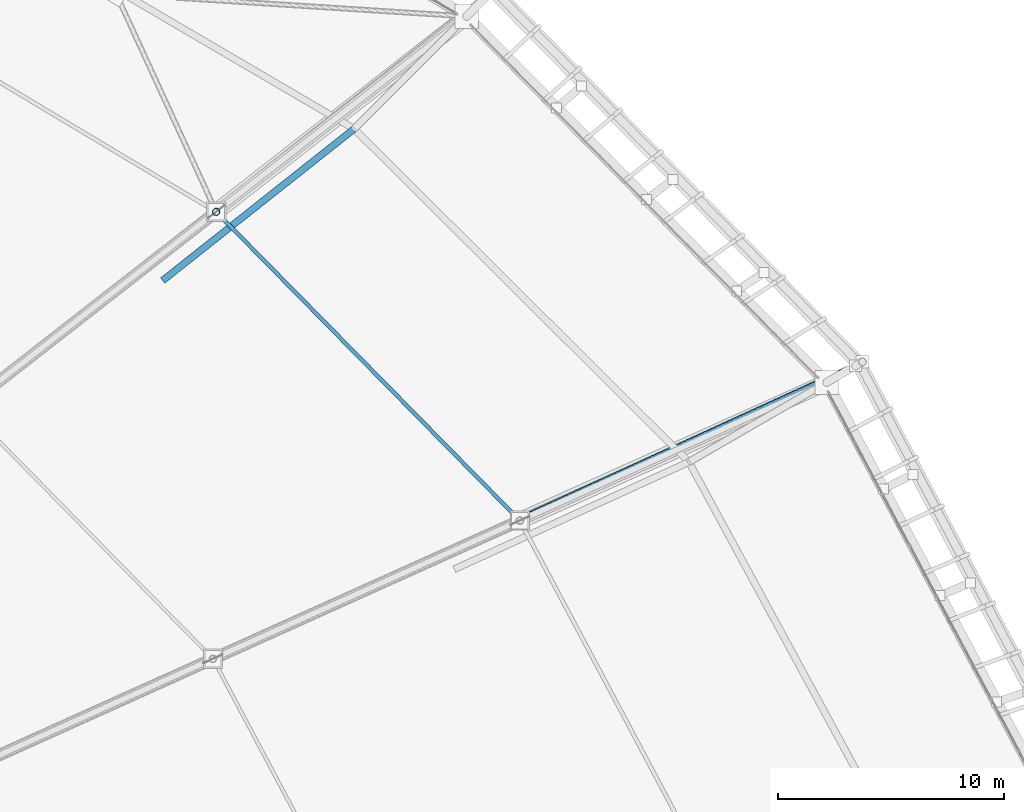
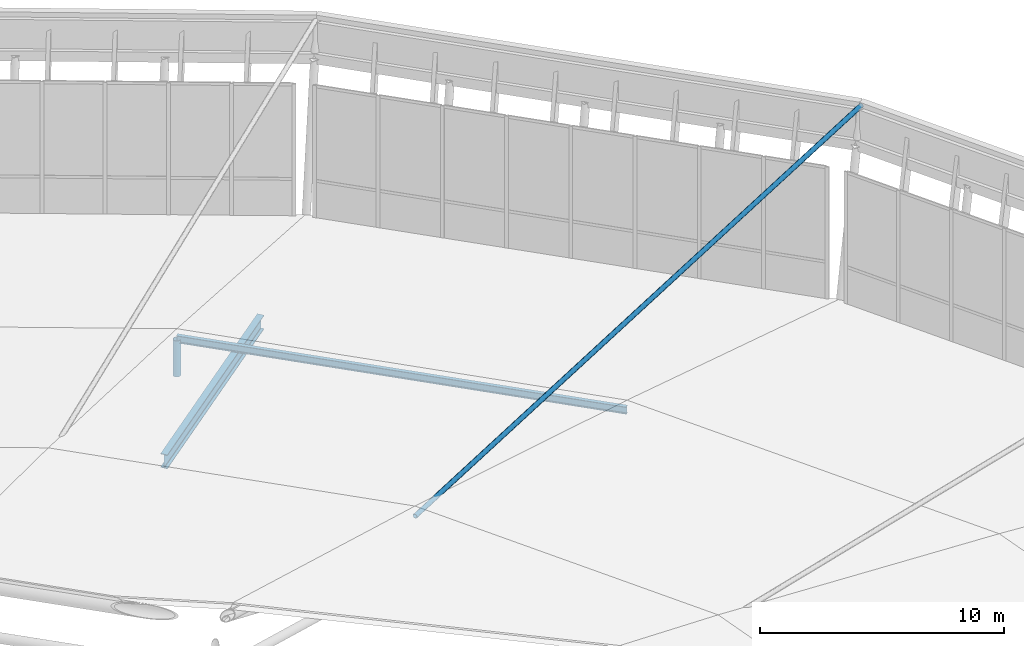
# One storey, part 56 of 115: 3 members, 1 beam.
"""IFC4 building model written with IfcOpenShell, lengths in metres."""

from ifc_helpers import new_model, si_unit, direction, frame, origin, origin_2d, place, context, subcontext, project, spatial, hollow_circle, i_section, extrude, material, material_profile, profile_set, type_object, element, save


model = new_model("IFC4")

# Units and contexts
model_context = context("Model", 3, precision=1e-05, world=origin(), true_north=direction((0.0, 1.0)))
body_context = subcontext(model_context, "Body", "Model", "MODEL_VIEW")
ifc_project = project(units=[si_unit("LENGTHUNIT", "METRE"), si_unit("AREAUNIT", "SQUARE_METRE"), si_unit("VOLUMEUNIT", "CUBIC_METRE"), si_unit("PLANEANGLEUNIT", "RADIAN"), si_unit("MASSUNIT", "GRAM", prefix="KILO")], contexts=[model_context])

# Site, building, storey
site_placement = place(None, origin())
site = spatial("IfcSite", under=ifc_project, at=site_placement, CompositionType="ELEMENT")
building_placement = place(site_placement, origin())
building = spatial("IfcBuilding", under=site, at=building_placement, Name="Zlatoyarsky Gate Stadium", CompositionType="ELEMENT")
storey_placement = place(building_placement, frame((0.0, 0.0, 31.800048828125)))
storey = spatial("IfcBuildingStorey", under=building, at=storey_placement, Name="RF", CompositionType="ELEMENT", Elevation=31.800048828125)

# Members
ifc_material = material(Name="Steel S355", Category="steel")
ifc_material_profile_1 = material_profile(ifc_material, hollow_circle(Radius=0.109619140625, WallThickness=0.012451171875, at=origin_2d()), Name="CHS 219.1X12.5")
ifc_profile_set_1 = profile_set([ifc_material_profile_1], Name="Steel S355")
member_type_1 = type_object("IfcMemberType", Name="STEEL CANOPY WIND BRACE CHS 219.1X12.5", PredefinedType="BRACE", material=ifc_profile_set_1)
member_1_placement = place(storey_placement, frame((199.19970703125, 119.922119140625, 8.849853515625), z_axis=(-0.906447764007, -0.414552111978, -0.080616360509), x_axis=(0.415905800363, -0.909407700223, 0.0)))
element("IfcMember", 1, at=member_1_placement, inside=storey, type_object=member_type_1, Name="Crown fascia tie brace 02", PredefinedType="BRACE", context=body_context, shape_type="SweptSolid", body=[
    extrude(hollow_circle(Radius=0.109619140625, WallThickness=0.012451171875, at=origin_2d()), origin(), (0.0, 0.0, 1.0), 31.62890625),
])
ifc_material_profile_2 = material_profile(ifc_material, i_section(OverallWidth=0.169921875, OverallDepth=0.360107421875, WebThickness=0.008056640625, FlangeThickness=0.0126953125, FilletRadius=0.01806640625, at=origin_2d()), Name="IPE 360")
ifc_profile_set_2 = profile_set([ifc_material_profile_2], Name="Steel S355")
member_type_2 = type_object("IfcMemberType", Name="STEEL LONG SPAN PURLIN IPE 360", PredefinedType="PURLIN", material=ifc_profile_set_2)
member_2_placement = place(storey_placement, frame((184.078125, 112.912109375, 3.179931640625), z_axis=(-0.701267484698, 0.712898250037, 0.0), x_axis=(-0.712898250037, -0.701267484698, 0.0)))
element("IfcMember", 2, at=member_2_placement, inside=storey, type_object=member_type_2, Name="Stadium roof purlin 02.1", PredefinedType="PURLIN", context=body_context, shape_type="SweptSolid", body=[
    extrude(i_section(OverallWidth=0.169921875, OverallDepth=0.360107421875, WebThickness=0.008056640625, FlangeThickness=0.0126953125, FilletRadius=0.01806640625, at=origin_2d()), origin(), (0.0, 0.0, 1.0), 19.122802734375),
])

# Beam
ifc_material_profile_3 = material_profile(ifc_material, i_section(OverallWidth=0.300048828125, OverallDepth=0.699951171875, WebThickness=0.01708984375, FlangeThickness=0.031982421875, FilletRadius=0.027099609375, at=origin_2d()), Name="HEB 700")
ifc_profile_set_3 = profile_set([ifc_material_profile_3], Name="Steel S355")
beam_type = type_object("IfcBeamType", Name="STEEL ROOF RING GIRDER HEB 700", PredefinedType="BEAM", material=ifc_profile_set_3)
beam_placement = place(storey_placement, frame((168.306884765625, 123.511962890625, -0.300048828125), z_axis=(0.784053658736, 0.620693048312, 0.0), x_axis=(-0.620693048312, 0.784053658736, 0.0)))
element("IfcBeam", 3, at=beam_placement, inside=storey, type_object=beam_type, Name="RF roof tie girder BM-RF-RBC-03", PredefinedType="BEAM", context=body_context, shape_type="SweptSolid", body=[
    extrude(i_section(OverallWidth=0.300048828125, OverallDepth=0.699951171875, WebThickness=0.01708984375, FlangeThickness=0.031982421875, FilletRadius=0.027099609375, at=origin_2d()), origin(), (0.0, 0.0, 1.0), 10.742431640625),
])

# Member
ifc_material_profile_4 = material_profile(ifc_material, hollow_circle(Radius=0.161865234375, WallThickness=0.01611328125, at=origin_2d()), Name="CHS 323.9X16")
ifc_profile_set_4 = profile_set([ifc_material_profile_4], Name="Steel S355")
member_type_3 = type_object("IfcMemberType", Name="STEEL TRUSS WEB STRUT CHS 323.9X16", PredefinedType="STRUT", material=ifc_profile_set_4)
member_3_placement = place(storey_placement, frame((170.66796875, 126.544677734375, 1.349853515625), z_axis=(0.0, 0.0, 1.0), x_axis=(1.0, 0.0, 0.0)))
element("IfcMember", 4, at=member_3_placement, inside=storey, type_object=member_type_3, Name="Radial truss R04 web strut 1", PredefinedType="STRUT", context=body_context, shape_type="SweptSolid", body=[
    extrude(hollow_circle(Radius=0.161865234375, WallThickness=0.01611328125, at=origin_2d()), origin(), (0.0, 0.0, 1.0), 1.800048828125),
])

save(model, "model.ifc")
